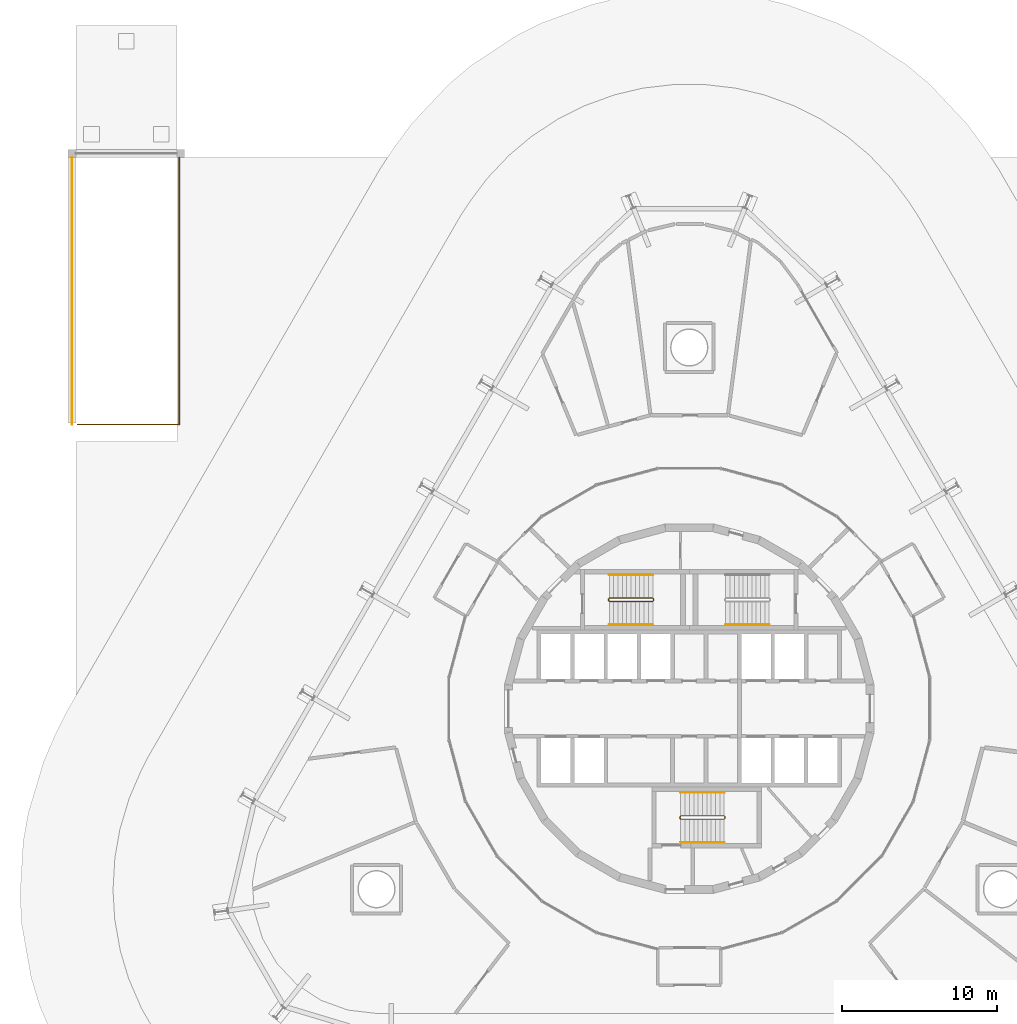
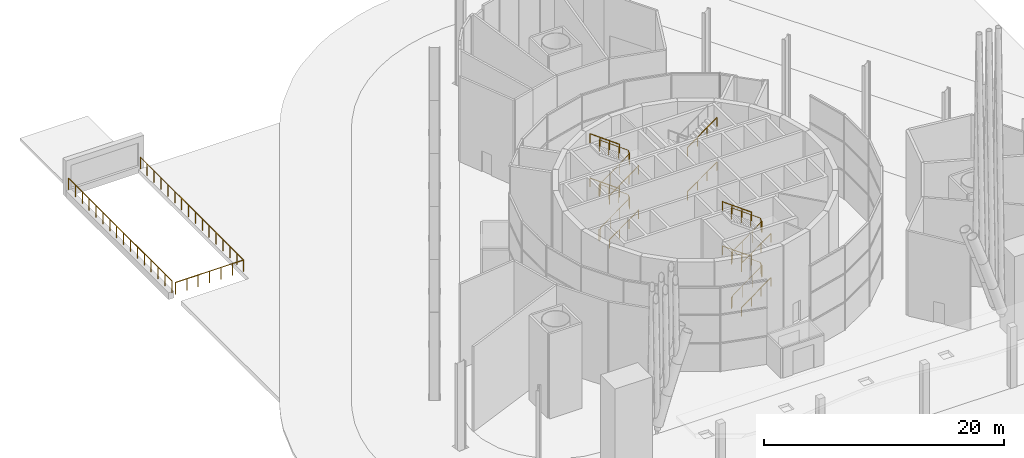
# One storey, part 20 of 21: 14 railings.
"""IFC4 building model written with IfcOpenShell, lengths in metres."""

import ifcopenshell
import ifcopenshell.guid

model = None  # the IFC model being written
_history = None  # IfcOwnerHistory: only IFC2X3 demands one
_inside = {}  # id of a spatial element -> (the spatial element, [elements in it])
_under = {}  # id of a project, library or spatial element -> (it, [spatial elements below it])
_declared = {}  # id of a project -> (the project, [libraries it declares])
_typed = {}  # id of a type object -> (the type object, [elements of that type])
_made_of = {}  # id of a material, layer set ... -> (it, [elements and type objects made of it])


def new_model(schema):
    """Start an empty IFC model of exactly this schema.

    Asked for "IFC4X3", IfcOpenShell would pick the latest addendum, in which some entities
    have other attributes; the version numbers below select the first issue.
    IFC2X3 requires an IfcOwnerHistory on every rooted entity: one is made here for all.
    """
    global model, _history
    if schema == "IFC4X3":
        model = ifcopenshell.file(schema_version=(4, 3, 0, 0))
    else:
        model = ifcopenshell.file(schema=schema)
    _inside.clear()
    _under.clear()
    _declared.clear()
    _typed.clear()
    _made_of.clear()
    _history = None
    if model.schema == "IFC2X3":
        org = make("IfcOrganization", Name="unknown")
        user = make(
            "IfcPersonAndOrganization",
            ThePerson=make("IfcPerson", FamilyName="unknown"),
            TheOrganization=org,
        )
        app = make(
            "IfcApplication",
            ApplicationDeveloper=org,
            Version="unknown",
            ApplicationFullName="unknown",
            ApplicationIdentifier="unknown",
        )
        _history = make(
            "IfcOwnerHistory",
            OwningUser=user,
            OwningApplication=app,
            ChangeAction="ADDED",
            CreationDate=0,
        )
    return model


def make(cls, **values):
    """One entity of the class cls with the attributes given. An attribute that is None is left unset."""
    return model.create_entity(
        cls, **{name: value for name, value in values.items() if value is not None}
    )


def rooted(cls, **values):
    """An entity with a GlobalId (a new one), such as an element, a storey or a relation."""
    return make(cls, GlobalId=ifcopenshell.guid.new(), OwnerHistory=_history, **values)


def si_unit(unit_type, name, prefix=None):
    """IfcSIUnit, for example si_unit("LENGTHUNIT", "METRE", prefix="MILLI")."""
    return make("IfcSIUnit", UnitType=unit_type, Prefix=prefix, Name=name)


def assignment(units):
    """IfcUnitAssignment: the units of a project."""
    return None if units is None else make("IfcUnitAssignment", Units=units)


def point(xyz):
    """IfcCartesianPoint."""
    return None if xyz is None else make("IfcCartesianPoint", Coordinates=xyz)


def direction(xyz):
    """IfcDirection."""
    return None if xyz is None else make("IfcDirection", DirectionRatios=xyz)


def frame(location, z_axis=None, x_axis=None):
    """IfcAxis2Placement3D, a coordinate frame: its origin and axes. An axis left out is left unset."""
    return make(
        "IfcAxis2Placement3D",
        Location=point(location),
        Axis=direction(z_axis),
        RefDirection=direction(x_axis),
    )


def frame_2d(location, x_axis=None):
    """IfcAxis2Placement2D, a coordinate frame in the plane: its origin and x axis."""
    return make(
        "IfcAxis2Placement2D", Location=point(location), RefDirection=direction(x_axis)
    )


def origin():
    """The frame at (0, 0, 0) with its axes left unset."""
    return frame((0.0, 0.0, 0.0))


def origin_2d():
    """The frame at (0, 0) in the plane with its x axis left unset."""
    return frame_2d((0.0, 0.0))


def place(relative_to, where):
    """IfcLocalPlacement: puts the frame where relative to a parent placement (None: the world)."""
    return make(
        "IfcLocalPlacement", PlacementRelTo=relative_to, RelativePlacement=where
    )


def context(
    kind, dimensions, precision=None, world=None, true_north=None, identifier=None
):
    """IfcGeometricRepresentationContext, for example the 3D "Model" context."""
    return make(
        "IfcGeometricRepresentationContext",
        ContextIdentifier=identifier,
        ContextType=kind,
        CoordinateSpaceDimension=dimensions,
        Precision=precision,
        WorldCoordinateSystem=world,
        TrueNorth=true_north,
    )


def subcontext(parent, identifier, kind, view, scale=None):
    """IfcGeometricRepresentationSubContext, for example "Body" below "Model"."""
    return make(
        "IfcGeometricRepresentationSubContext",
        ContextIdentifier=identifier,
        ContextType=kind,
        ParentContext=parent,
        TargetScale=scale,
        TargetView=view,
    )


def project(units=None, contexts=None):
    """IfcProject with its units and contexts."""
    return rooted(
        "IfcProject",
        Name="project",
        RepresentationContexts=contexts,
        UnitsInContext=assignment(units),
    )


def spatial(cls, under=None, at=None, **own):
    """A site, building, storey or space (cls), placed at a placement, below another one or the project."""
    s = rooted(cls, ObjectPlacement=at, **own)
    if under is not None:
        _under.setdefault(under.id(), (under, []))[1].append(s)
    return s


def profile(cls, at=None, kind="AREA", **sizes):
    """A parametric profile (cls). Its sizes go by their IFC names, for example OverallWidth=200.0."""
    return make(cls, ProfileType=kind, Position=at, **sizes)


def circle(**sizes):
    """IfcCircleProfileDef."""
    return profile("IfcCircleProfileDef", **sizes)


def extrude(swept, where, along, depth):
    """IfcExtrudedAreaSolid: the profile swept, set in the frame where, extruded along a direction by depth."""
    return make(
        "IfcExtrudedAreaSolid",
        SweptArea=swept,
        Position=where,
        ExtrudedDirection=direction(along),
        Depth=depth,
    )


def shape(context_of_items, identifier, shape_type, items):
    """IfcShapeRepresentation: the items that make up one representation, for example the "Body"."""
    return make(
        "IfcShapeRepresentation",
        ContextOfItems=context_of_items,
        RepresentationIdentifier=identifier,
        RepresentationType=shape_type,
        Items=items,
    )


def material(Name=None, Category=None):
    """IfcMaterial."""
    return make("IfcMaterial", Name=Name, Category=Category)


def made_of(thing, what):
    """Note that an element or type object is made of a material, layer set ...; save() writes the relation."""
    if what is not None:
        _made_of.setdefault(what.id(), (what, []))[1].append(thing)
    return thing


def type_object(cls, material=None, **own):
    """A type object (cls), such as IfcWallType, which elements share."""
    return made_of(rooted(cls, **own), material)


def element(
    cls,
    number,
    at=None,
    inside=None,
    cuts=None,
    type_object=None,
    material=None,
    context=None,
    identifier="Body",
    shape_type=None,
    held_by="IfcProductDefinitionShape",
    body=None,
    shapes=None,
    **own,
):
    """One element of the class cls, such as IfcWall. Its Tag is "e" and its number.

    at: its placement. inside: the storey or other place that contains it. cuts: it is an
    opening in that element (IfcRelVoidsElement). A single representation is given by context,
    identifier, shape_type and body (its items); several are given by shapes. held_by: the class
    of the entity that holds the representations. save() writes the other relations.
    """
    e = rooted(cls, Tag="e%d" % number, ObjectPlacement=at, **own)
    if body is not None:
        shapes = [shape(context, identifier, shape_type, body)]
    if shapes is not None:
        e.Representation = make(held_by, Representations=shapes)
    if inside is not None:
        _inside.setdefault(inside.id(), (inside, []))[1].append(e)
    if cuts is not None:
        rooted(
            "IfcRelVoidsElement", RelatingBuildingElement=cuts, RelatedOpeningElement=e
        )
    if type_object is not None:
        _typed.setdefault(type_object.id(), (type_object, []))[1].append(e)
    return made_of(e, material)


def aggregate(whole, parts):
    """IfcRelAggregates: a whole, such as a stair, and the parts it consists of."""
    return rooted("IfcRelAggregates", RelatingObject=whole, RelatedObjects=parts)


def save(model, path):
    """Write the relations noted so far, then the file.

    IfcRelAggregates (storeys below a building ...), IfcRelContainedInSpatialStructure (elements
    in a storey), IfcRelDefinesByType, IfcRelAssociatesMaterial and IfcRelDeclares: one each for
    every whole, place, type object, material and project.
    """
    for whole, parts in _under.values():
        aggregate(whole, parts)
    for where, things in _inside.values():
        rooted(
            "IfcRelContainedInSpatialStructure",
            RelatedElements=things,
            RelatingStructure=where,
        )
    for kind, things in _typed.values():
        rooted("IfcRelDefinesByType", RelatedObjects=things, RelatingType=kind)
    for what, things in _made_of.values():
        rooted("IfcRelAssociatesMaterial", RelatedObjects=things, RelatingMaterial=what)
    for by, libraries in _declared.values():
        rooted("IfcRelDeclares", RelatingContext=by, RelatedDefinitions=libraries)
    model.write(path)


model = new_model("IFC4")

# Units and contexts
model_context = context("Model", 3, precision=1e-05, world=origin(), true_north=direction((0.0, 1.0)))
body_context = subcontext(model_context, "Body", "Model", "MODEL_VIEW")
ifc_project = project(units=[si_unit("LENGTHUNIT", "METRE"), si_unit("AREAUNIT", "SQUARE_METRE"), si_unit("VOLUMEUNIT", "CUBIC_METRE"), si_unit("PLANEANGLEUNIT", "RADIAN"), si_unit("MASSUNIT", "GRAM", prefix="KILO")], contexts=[model_context])

# Site, building, storey
site_placement = place(None, origin())
site = spatial("IfcSite", under=ifc_project, at=site_placement, CompositionType="ELEMENT")
building_placement = place(site_placement, origin())
building = spatial("IfcBuilding", under=site, at=building_placement, Name="Spindle Arch Residences", CompositionType="ELEMENT")
storey_placement = place(building_placement, origin())
storey = spatial("IfcBuildingStorey", under=building, at=storey_placement, Name="L00", CompositionType="ELEMENT", Elevation=0.0)

# Railings
ifc_material_1 = material(Name="Stainless steel balustrade", Category="steel")
railing_type_1 = type_object("IfcRailingType", Name="Plaza and trench guard 1200", PredefinedType="GUARDRAIL", material=ifc_material_1)
railing_1_placement = place(storey_placement, frame((-32.85009765625, 35.5, -0.280029296875)))
element("IfcRailing", 1, at=railing_1_placement, inside=storey, type_object=railing_type_1, Name="Ramp trench guard (deck edge)", PredefinedType="GUARDRAIL", context=body_context, shape_type="SweptSolid", body=[
    extrude(circle(Radius=0.02392578125, at=origin_2d()), frame((0.0, 0.0, 1.17578125), z_axis=(0.0, -1.0, 0.0), x_axis=(1.0, 0.0, 0.0)), (0.0, 0.0, 1.0), 17.199951171875),
    extrude(circle(Radius=0.02392578125, at=origin_2d()), frame((0.0, -17.199951171875, 1.17578125), z_axis=(-1.0, 0.0, 0.0), x_axis=(0.0, -1.0, 0.0)), (0.0, 0.0, 1.0), 6.5498046875),
    extrude(circle(Radius=0.02099609375, at=origin_2d()), origin(), (0.0, 0.0, 1.0), 1.15185546875),
    extrude(circle(Radius=0.02099609375, at=origin_2d()), frame((0.0, -1.146728515625, 0.0)), (0.0, 0.0, 1.0), 1.15185546875),
    extrude(circle(Radius=0.02099609375, at=origin_2d()), frame((0.0, -2.293212890625, 0.0)), (0.0, 0.0, 1.0), 1.15185546875),
    extrude(circle(Radius=0.02099609375, at=origin_2d()), frame((0.0, -3.43994140625, 0.0)), (0.0, 0.0, 1.0), 1.15185546875),
    extrude(circle(Radius=0.02099609375, at=origin_2d()), frame((0.0, -4.586669921875, 0.0)), (0.0, 0.0, 1.0), 1.15185546875),
    extrude(circle(Radius=0.02099609375, at=origin_2d()), frame((0.0, -5.7333984375, 0.0)), (0.0, 0.0, 1.0), 1.15185546875),
    extrude(circle(Radius=0.02099609375, at=origin_2d()), frame((0.0, -6.8798828125, 0.0)), (0.0, 0.0, 1.0), 1.15185546875),
    extrude(circle(Radius=0.02099609375, at=origin_2d()), frame((0.0, -8.026611328125, 0.0)), (0.0, 0.0, 1.0), 1.15185546875),
    extrude(circle(Radius=0.02099609375, at=origin_2d()), frame((0.0, -9.17333984375, 0.0)), (0.0, 0.0, 1.0), 1.15185546875),
    extrude(circle(Radius=0.02099609375, at=origin_2d()), frame((0.0, -10.320068359375, 0.0)), (0.0, 0.0, 1.0), 1.15185546875),
    extrude(circle(Radius=0.02099609375, at=origin_2d()), frame((0.0, -11.466552734375, 0.0)), (0.0, 0.0, 1.0), 1.15185546875),
    extrude(circle(Radius=0.02099609375, at=origin_2d()), frame((0.0, -12.61328125, 0.0)), (0.0, 0.0, 1.0), 1.15185546875),
    extrude(circle(Radius=0.02099609375, at=origin_2d()), frame((0.0, -13.760009765625, 0.0)), (0.0, 0.0, 1.0), 1.15185546875),
    extrude(circle(Radius=0.02099609375, at=origin_2d()), frame((0.0, -14.90673828125, 0.0)), (0.0, 0.0, 1.0), 1.15185546875),
    extrude(circle(Radius=0.02099609375, at=origin_2d()), frame((0.0, -16.05322265625, 0.0)), (0.0, 0.0, 1.0), 1.15185546875),
    extrude(circle(Radius=0.02099609375, at=origin_2d()), frame((0.0, -17.199951171875, 0.0)), (0.0, 0.0, 1.0), 1.15185546875),
    extrude(circle(Radius=0.02099609375, at=origin_2d()), frame((-1.091552734375, -17.199951171875, 0.0)), (0.0, 0.0, 1.0), 1.15185546875),
    extrude(circle(Radius=0.02099609375, at=origin_2d()), frame((-2.183349609375, -17.199951171875, 0.0)), (0.0, 0.0, 1.0), 1.15185546875),
    extrude(circle(Radius=0.02099609375, at=origin_2d()), frame((-3.27490234375, -17.199951171875, 0.0)), (0.0, 0.0, 1.0), 1.15185546875),
    extrude(circle(Radius=0.02099609375, at=origin_2d()), frame((-4.366455078125, -17.199951171875, 0.0)), (0.0, 0.0, 1.0), 1.15185546875),
    extrude(circle(Radius=0.02099609375, at=origin_2d()), frame((-5.458251953125, -17.199951171875, 0.0)), (0.0, 0.0, 1.0), 1.15185546875),
    extrude(circle(Radius=0.02099609375, at=origin_2d()), frame((-6.5498046875, -17.199951171875, 0.0)), (0.0, 0.0, 1.0), 1.15185546875),
])
railing_2_placement = place(storey_placement, frame((-39.75, 18.300048828125, 0.0)))
element("IfcRailing", 2, at=railing_2_placement, inside=storey, type_object=railing_type_1, Name="Ramp trench guard (west wall)", PredefinedType="GUARDRAIL", context=body_context, shape_type="SweptSolid", body=[
    extrude(circle(Radius=0.02392578125, at=origin_2d()), frame((0.0, 0.0, 1.17578125), z_axis=(0.0, 1.0, 0.0), x_axis=(-1.0, 0.0, 0.0)), (0.0, 0.0, 1.0), 17.199951171875),
    extrude(circle(Radius=0.02099609375, at=origin_2d()), origin(), (0.0, 0.0, 1.0), 1.15185546875),
    extrude(circle(Radius=0.02099609375, at=origin_2d()), frame((0.0, 1.146728515625, 0.0)), (0.0, 0.0, 1.0), 1.15185546875),
    extrude(circle(Radius=0.02099609375, at=origin_2d()), frame((0.0, 2.293212890625, 0.0)), (0.0, 0.0, 1.0), 1.15185546875),
    extrude(circle(Radius=0.02099609375, at=origin_2d()), frame((0.0, 3.43994140625, 0.0)), (0.0, 0.0, 1.0), 1.15185546875),
    extrude(circle(Radius=0.02099609375, at=origin_2d()), frame((0.0, 4.586669921875, 0.0)), (0.0, 0.0, 1.0), 1.15185546875),
    extrude(circle(Radius=0.02099609375, at=origin_2d()), frame((0.0, 5.7333984375, 0.0)), (0.0, 0.0, 1.0), 1.15185546875),
    extrude(circle(Radius=0.02099609375, at=origin_2d()), frame((0.0, 6.8798828125, 0.0)), (0.0, 0.0, 1.0), 1.15185546875),
    extrude(circle(Radius=0.02099609375, at=origin_2d()), frame((0.0, 8.026611328125, 0.0)), (0.0, 0.0, 1.0), 1.15185546875),
    extrude(circle(Radius=0.02099609375, at=origin_2d()), frame((0.0, 9.17333984375, 0.0)), (0.0, 0.0, 1.0), 1.15185546875),
    extrude(circle(Radius=0.02099609375, at=origin_2d()), frame((0.0, 10.320068359375, 0.0)), (0.0, 0.0, 1.0), 1.15185546875),
    extrude(circle(Radius=0.02099609375, at=origin_2d()), frame((0.0, 11.466552734375, 0.0)), (0.0, 0.0, 1.0), 1.15185546875),
    extrude(circle(Radius=0.02099609375, at=origin_2d()), frame((0.0, 12.61328125, 0.0)), (0.0, 0.0, 1.0), 1.15185546875),
    extrude(circle(Radius=0.02099609375, at=origin_2d()), frame((0.0, 13.760009765625, 0.0)), (0.0, 0.0, 1.0), 1.15185546875),
    extrude(circle(Radius=0.02099609375, at=origin_2d()), frame((0.0, 14.90673828125, 0.0)), (0.0, 0.0, 1.0), 1.15185546875),
    extrude(circle(Radius=0.02099609375, at=origin_2d()), frame((0.0, 16.05322265625, 0.0)), (0.0, 0.0, 1.0), 1.15185546875),
    extrude(circle(Radius=0.02099609375, at=origin_2d()), frame((0.0, 17.199951171875, 0.0)), (0.0, 0.0, 1.0), 1.15185546875),
])
ifc_material_2 = material(Name="Steel, painted", Category="steel")
railing_type_2 = type_object("IfcRailingType", Name="Stair guard 1100", PredefinedType="GUARDRAIL", material=ifc_material_2)
railing_3_placement = place(storey_placement, frame((-5.14990234375, 7.1201171875, 9.0)))
element("IfcRailing", 3, at=railing_3_placement, inside=storey, type_object=railing_type_2, Name="L00 ST2 stair guard 1", PredefinedType="GUARDRAIL", context=body_context, shape_type="SweptSolid", body=[
    extrude(circle(Radius=0.02392578125, at=origin_2d()), frame((0.0, 0.0, 1.17578125), z_axis=(0.807473679262, 0.0, -0.589903600005), x_axis=(0.0, 1.0, 0.0)), (0.0, 0.0, 1.0), 3.46728515625),
    extrude(circle(Radius=0.02392578125, at=origin_2d()), frame((2.7998046875, 0.0, -0.86962890625), z_axis=(0.231185919813, -0.231185919813, -0.94504293075), x_axis=(0.707106781187, 0.707106781187, 0.0)), (0.0, 0.0, 1.0), 0.216552734375),
    extrude(circle(Radius=0.02392578125, at=origin_2d()), frame((2.849853515625, -0.050048828125, -1.07421875), z_axis=(0.0, -1.0, 0.0), x_axis=(1.0, 0.0, 0.0)), (0.0, 0.0, 1.0), 0.1201171875),
    extrude(circle(Radius=0.02392578125, at=origin_2d()), frame((2.849853515625, -0.170166015625, -1.07421875), z_axis=(-0.707106781187, -0.707106781187, 0.0), x_axis=(0.707106781187, -0.707106781187, 0.0)), (0.0, 0.0, 1.0), 0.07080078125),
    extrude(circle(Radius=0.02392578125, at=origin_2d()), frame((2.7998046875, -0.22021484375, -1.07421875), z_axis=(-0.807473679262, 0.0, -0.589903600005), x_axis=(0.0, -1.0, 0.0)), (0.0, 0.0, 1.0), 3.46728515625),
    extrude(circle(Radius=0.02392578125, at=origin_2d()), frame((0.0, -0.22021484375, -3.11962890625), z_axis=(-0.184836414533, 0.628443809412, -0.755575196969), x_axis=(-0.959365501571, -0.282166323992, 0.0)), (0.0, 0.0, 1.0), 0.270751953125),
    extrude(circle(Radius=0.02392578125, at=origin_2d()), frame((-0.050048828125, -0.050048828125, -3.32421875), z_axis=(0.0, -1.0, 0.0), x_axis=(1.0, 0.0, 0.0)), (0.0, 0.0, 1.0), 0.1201171875),
    extrude(circle(Radius=0.02392578125, at=origin_2d()), frame((-0.050048828125, -0.170166015625, -3.32421875), z_axis=(0.282166323992, 0.959365501571, 0.0), x_axis=(-0.959365501571, 0.282166323992, 0.0)), (0.0, 0.0, 1.0), 0.177490234375),
    extrude(circle(Radius=0.02392578125, at=origin_2d()), frame((0.0, 0.0, -3.32421875), z_axis=(0.807473679262, 0.0, -0.589903600005), x_axis=(0.0, 1.0, 0.0)), (0.0, 0.0, 1.0), 3.46728515625),
    extrude(circle(Radius=0.02392578125, at=origin_2d()), frame((2.7998046875, 0.0, -5.36962890625), z_axis=(0.231185919813, -0.231185919813, -0.94504293075), x_axis=(0.707106781187, 0.707106781187, 0.0)), (0.0, 0.0, 1.0), 0.216552734375),
    extrude(circle(Radius=0.02392578125, at=origin_2d()), frame((2.849853515625, -0.050048828125, -5.57421875), z_axis=(0.0, -1.0, 0.0), x_axis=(1.0, 0.0, 0.0)), (0.0, 0.0, 1.0), 0.1201171875),
    extrude(circle(Radius=0.02392578125, at=origin_2d()), frame((2.849853515625, -0.170166015625, -5.57421875), z_axis=(-0.707106781187, -0.707106781187, 0.0), x_axis=(0.707106781187, -0.707106781187, 0.0)), (0.0, 0.0, 1.0), 0.07080078125),
    extrude(circle(Radius=0.02392578125, at=origin_2d()), frame((2.7998046875, -0.22021484375, -5.57421875), z_axis=(-0.807473679262, 0.0, -0.589903600005), x_axis=(0.0, -1.0, 0.0)), (0.0, 0.0, 1.0), 3.46728515625),
    extrude(circle(Radius=0.02392578125, at=origin_2d()), frame((0.0, -0.22021484375, -7.61962890625), z_axis=(-0.231185919813, 0.231185919813, -0.94504293075), x_axis=(-0.707106781187, -0.707106781187, 0.0)), (0.0, 0.0, 1.0), 0.216552734375),
    extrude(circle(Radius=0.02392578125, at=origin_2d()), frame((-0.050048828125, -0.170166015625, -7.82421875), z_axis=(0.0, 1.0, 0.0), x_axis=(-1.0, 0.0, 0.0)), (0.0, 0.0, 1.0), 0.1201171875),
    extrude(circle(Radius=0.02099609375, at=origin_2d()), origin(), (0.0, 0.0, 1.0), 1.15185546875),
    extrude(circle(Radius=0.02099609375, at=origin_2d()), frame((0.933349609375, 0.0, -0.681884765625)), (0.0, 0.0, 1.0), 1.15185546875),
    extrude(circle(Radius=0.02099609375, at=origin_2d()), frame((1.866455078125, 0.0, -1.363525390625)), (0.0, 0.0, 1.0), 1.15185546875),
    extrude(circle(Radius=0.02099609375, at=origin_2d()), frame((2.7998046875, 0.0, -2.04541015625)), (0.0, 0.0, 1.0), 1.15185546875),
    extrude(circle(Radius=0.02099609375, at=origin_2d()), frame((2.849853515625, -0.050048828125, -2.25)), (0.0, 0.0, 1.0), 1.15185546875),
    extrude(circle(Radius=0.02099609375, at=origin_2d()), frame((2.849853515625, -0.170166015625, -2.25)), (0.0, 0.0, 1.0), 1.15185546875),
    extrude(circle(Radius=0.02099609375, at=origin_2d()), frame((2.7998046875, -0.22021484375, -2.25)), (0.0, 0.0, 1.0), 1.15185546875),
    extrude(circle(Radius=0.02099609375, at=origin_2d()), frame((1.866455078125, -0.22021484375, -2.931884765625)), (0.0, 0.0, 1.0), 1.15185546875),
    extrude(circle(Radius=0.02099609375, at=origin_2d()), frame((0.933349609375, -0.22021484375, -3.613525390625)), (0.0, 0.0, 1.0), 1.15185546875),
    extrude(circle(Radius=0.02099609375, at=origin_2d()), frame((0.0, -0.22021484375, -4.29541015625)), (0.0, 0.0, 1.0), 1.15185546875),
    extrude(circle(Radius=0.02099609375, at=origin_2d()), frame((-0.050048828125, -0.050048828125, -4.5)), (0.0, 0.0, 1.0), 1.15185546875),
    extrude(circle(Radius=0.02099609375, at=origin_2d()), frame((-0.050048828125, -0.170166015625, -4.5)), (0.0, 0.0, 1.0), 1.15185546875),
    extrude(circle(Radius=0.02099609375, at=origin_2d()), frame((0.0, 0.0, -4.5)), (0.0, 0.0, 1.0), 1.15185546875),
    extrude(circle(Radius=0.02099609375, at=origin_2d()), frame((0.933349609375, 0.0, -5.181884765625)), (0.0, 0.0, 1.0), 1.15185546875),
    extrude(circle(Radius=0.02099609375, at=origin_2d()), frame((1.866455078125, 0.0, -5.863525390625)), (0.0, 0.0, 1.0), 1.15185546875),
    extrude(circle(Radius=0.02099609375, at=origin_2d()), frame((2.7998046875, 0.0, -6.54541015625)), (0.0, 0.0, 1.0), 1.15185546875),
    extrude(circle(Radius=0.02099609375, at=origin_2d()), frame((2.849853515625, -0.050048828125, -6.75)), (0.0, 0.0, 1.0), 1.15185546875),
    extrude(circle(Radius=0.02099609375, at=origin_2d()), frame((2.849853515625, -0.170166015625, -6.75)), (0.0, 0.0, 1.0), 1.15185546875),
    extrude(circle(Radius=0.02099609375, at=origin_2d()), frame((2.7998046875, -0.22021484375, -6.75)), (0.0, 0.0, 1.0), 1.15185546875),
    extrude(circle(Radius=0.02099609375, at=origin_2d()), frame((1.866455078125, -0.22021484375, -7.431884765625)), (0.0, 0.0, 1.0), 1.15185546875),
    extrude(circle(Radius=0.02099609375, at=origin_2d()), frame((0.933349609375, -0.22021484375, -8.113525390625)), (0.0, 0.0, 1.0), 1.15185546875),
    extrude(circle(Radius=0.02099609375, at=origin_2d()), frame((0.0, -0.22021484375, -8.79541015625)), (0.0, 0.0, 1.0), 1.15185546875),
    extrude(circle(Radius=0.02099609375, at=origin_2d()), frame((-0.050048828125, -0.170166015625, -9.0)), (0.0, 0.0, 1.0), 1.15185546875),
    extrude(circle(Radius=0.02099609375, at=origin_2d()), frame((-0.050048828125, -0.050048828125, -9.0)), (0.0, 0.0, 1.0), 1.15185546875),
])
railing_4_placement = place(storey_placement, frame((-0.550048828125, -6.89990234375, 9.0)))
element("IfcRailing", 4, at=railing_4_placement, inside=storey, type_object=railing_type_2, Name="L00 ST3 stair guard 1", PredefinedType="GUARDRAIL", context=body_context, shape_type="SweptSolid", body=[
    extrude(circle(Radius=0.02392578125, at=origin_2d()), frame((0.0, 0.0, 1.17578125), z_axis=(0.807498179243, 0.0, -0.589870062403), x_axis=(0.0, 1.0, 0.0)), (0.0, 0.0, 1.0), 3.467529296875),
    extrude(circle(Radius=0.02392578125, at=origin_2d()), frame((2.800048828125, 0.0, -0.86962890625), z_axis=(0.231185919813, -0.231185919813, -0.94504293075), x_axis=(0.707106781187, 0.707106781187, 0.0)), (0.0, 0.0, 1.0), 0.216552734375),
    extrude(circle(Radius=0.02392578125, at=origin_2d()), frame((2.85009765625, -0.050048828125, -1.07421875), z_axis=(0.0, -1.0, 0.0), x_axis=(1.0, 0.0, 0.0)), (0.0, 0.0, 1.0), 0.1201171875),
    extrude(circle(Radius=0.02392578125, at=origin_2d()), frame((2.85009765625, -0.170166015625, -1.07421875), z_axis=(-0.707106781187, -0.707106781187, 0.0), x_axis=(0.707106781187, -0.707106781187, 0.0)), (0.0, 0.0, 1.0), 0.07080078125),
    extrude(circle(Radius=0.02392578125, at=origin_2d()), frame((2.800048828125, -0.22021484375, -1.07421875), z_axis=(-0.807498179243, 0.0, -0.589870062403), x_axis=(0.0, -1.0, 0.0)), (0.0, 0.0, 1.0), 3.467529296875),
    extrude(circle(Radius=0.02392578125, at=origin_2d()), frame((0.0, -0.22021484375, -3.11962890625), z_axis=(-0.184836414533, 0.628443809412, -0.755575196969), x_axis=(-0.959365501571, -0.282166323992, 0.0)), (0.0, 0.0, 1.0), 0.270751953125),
    extrude(circle(Radius=0.02392578125, at=origin_2d()), frame((-0.050048828125, -0.050048828125, -3.32421875), z_axis=(0.0, -1.0, 0.0), x_axis=(1.0, 0.0, 0.0)), (0.0, 0.0, 1.0), 0.1201171875),
    extrude(circle(Radius=0.02392578125, at=origin_2d()), frame((-0.050048828125, -0.170166015625, -3.32421875), z_axis=(0.282166323992, 0.959365501571, 0.0), x_axis=(-0.959365501571, 0.282166323992, 0.0)), (0.0, 0.0, 1.0), 0.177490234375),
    extrude(circle(Radius=0.02392578125, at=origin_2d()), frame((0.0, 0.0, -3.32421875), z_axis=(0.807498179243, 0.0, -0.589870062403), x_axis=(0.0, 1.0, 0.0)), (0.0, 0.0, 1.0), 3.467529296875),
    extrude(circle(Radius=0.02392578125, at=origin_2d()), frame((2.800048828125, 0.0, -5.36962890625), z_axis=(0.231185919813, -0.231185919813, -0.94504293075), x_axis=(0.707106781187, 0.707106781187, 0.0)), (0.0, 0.0, 1.0), 0.216552734375),
    extrude(circle(Radius=0.02392578125, at=origin_2d()), frame((2.85009765625, -0.050048828125, -5.57421875), z_axis=(0.0, -1.0, 0.0), x_axis=(1.0, 0.0, 0.0)), (0.0, 0.0, 1.0), 0.1201171875),
    extrude(circle(Radius=0.02392578125, at=origin_2d()), frame((2.85009765625, -0.170166015625, -5.57421875), z_axis=(-0.707106781187, -0.707106781187, 0.0), x_axis=(0.707106781187, -0.707106781187, 0.0)), (0.0, 0.0, 1.0), 0.07080078125),
    extrude(circle(Radius=0.02392578125, at=origin_2d()), frame((2.800048828125, -0.22021484375, -5.57421875), z_axis=(-0.807498179243, 0.0, -0.589870062403), x_axis=(0.0, -1.0, 0.0)), (0.0, 0.0, 1.0), 3.467529296875),
    extrude(circle(Radius=0.02392578125, at=origin_2d()), frame((0.0, -0.22021484375, -7.61962890625), z_axis=(-0.231185919813, 0.231185919813, -0.94504293075), x_axis=(-0.707106781187, -0.707106781187, 0.0)), (0.0, 0.0, 1.0), 0.216552734375),
    extrude(circle(Radius=0.02392578125, at=origin_2d()), frame((-0.050048828125, -0.170166015625, -7.82421875), z_axis=(0.0, 1.0, 0.0), x_axis=(-1.0, 0.0, 0.0)), (0.0, 0.0, 1.0), 0.1201171875),
    extrude(circle(Radius=0.02099609375, at=origin_2d()), origin(), (0.0, 0.0, 1.0), 1.15185546875),
    extrude(circle(Radius=0.02099609375, at=origin_2d()), frame((0.933349609375, 0.0, -0.681884765625)), (0.0, 0.0, 1.0), 1.15185546875),
    extrude(circle(Radius=0.02099609375, at=origin_2d()), frame((1.86669921875, 0.0, -1.363525390625)), (0.0, 0.0, 1.0), 1.15185546875),
    extrude(circle(Radius=0.02099609375, at=origin_2d()), frame((2.800048828125, 0.0, -2.04541015625)), (0.0, 0.0, 1.0), 1.15185546875),
    extrude(circle(Radius=0.02099609375, at=origin_2d()), frame((2.85009765625, -0.050048828125, -2.25)), (0.0, 0.0, 1.0), 1.15185546875),
    extrude(circle(Radius=0.02099609375, at=origin_2d()), frame((2.85009765625, -0.170166015625, -2.25)), (0.0, 0.0, 1.0), 1.15185546875),
    extrude(circle(Radius=0.02099609375, at=origin_2d()), frame((2.800048828125, -0.22021484375, -2.25)), (0.0, 0.0, 1.0), 1.15185546875),
    extrude(circle(Radius=0.02099609375, at=origin_2d()), frame((1.86669921875, -0.22021484375, -2.931884765625)), (0.0, 0.0, 1.0), 1.15185546875),
    extrude(circle(Radius=0.02099609375, at=origin_2d()), frame((0.933349609375, -0.22021484375, -3.613525390625)), (0.0, 0.0, 1.0), 1.15185546875),
    extrude(circle(Radius=0.02099609375, at=origin_2d()), frame((0.0, -0.22021484375, -4.29541015625)), (0.0, 0.0, 1.0), 1.15185546875),
    extrude(circle(Radius=0.02099609375, at=origin_2d()), frame((-0.050048828125, -0.050048828125, -4.5)), (0.0, 0.0, 1.0), 1.15185546875),
    extrude(circle(Radius=0.02099609375, at=origin_2d()), frame((-0.050048828125, -0.170166015625, -4.5)), (0.0, 0.0, 1.0), 1.15185546875),
    extrude(circle(Radius=0.02099609375, at=origin_2d()), frame((0.0, 0.0, -4.5)), (0.0, 0.0, 1.0), 1.15185546875),
    extrude(circle(Radius=0.02099609375, at=origin_2d()), frame((0.933349609375, 0.0, -5.181884765625)), (0.0, 0.0, 1.0), 1.15185546875),
    extrude(circle(Radius=0.02099609375, at=origin_2d()), frame((1.86669921875, 0.0, -5.863525390625)), (0.0, 0.0, 1.0), 1.15185546875),
    extrude(circle(Radius=0.02099609375, at=origin_2d()), frame((2.800048828125, 0.0, -6.54541015625)), (0.0, 0.0, 1.0), 1.15185546875),
    extrude(circle(Radius=0.02099609375, at=origin_2d()), frame((2.85009765625, -0.050048828125, -6.75)), (0.0, 0.0, 1.0), 1.15185546875),
    extrude(circle(Radius=0.02099609375, at=origin_2d()), frame((2.85009765625, -0.170166015625, -6.75)), (0.0, 0.0, 1.0), 1.15185546875),
    extrude(circle(Radius=0.02099609375, at=origin_2d()), frame((2.800048828125, -0.22021484375, -6.75)), (0.0, 0.0, 1.0), 1.15185546875),
    extrude(circle(Radius=0.02099609375, at=origin_2d()), frame((1.86669921875, -0.22021484375, -7.431884765625)), (0.0, 0.0, 1.0), 1.15185546875),
    extrude(circle(Radius=0.02099609375, at=origin_2d()), frame((0.933349609375, -0.22021484375, -8.113525390625)), (0.0, 0.0, 1.0), 1.15185546875),
    extrude(circle(Radius=0.02099609375, at=origin_2d()), frame((0.0, -0.22021484375, -8.79541015625)), (0.0, 0.0, 1.0), 1.15185546875),
    extrude(circle(Radius=0.02099609375, at=origin_2d()), frame((-0.050048828125, -0.170166015625, -9.0)), (0.0, 0.0, 1.0), 1.15185546875),
    extrude(circle(Radius=0.02099609375, at=origin_2d()), frame((-0.050048828125, -0.050048828125, -9.0)), (0.0, 0.0, 1.0), 1.15185546875),
])
ifc_material_3 = material(Name="Steel, painted", Category="steel")
railing_type_3 = type_object("IfcRailingType", Name="Stair handrail 900", PredefinedType="HANDRAIL", material=ifc_material_3)
for number, where, name in (
    (5, (2.35009765625, 5.39990234375, 2.45458984375), "L00 ST1 stair handrail 2"),
    (6, (2.35009765625, 5.39990234375, 6.95458984375), "L00 ST1 stair handrail 4"),
    (7, (-5.14990234375, 5.39990234375, 0.20458984375), "L00 ST2 stair handrail 1"),
):
    element("IfcRailing", number, at=place(storey_placement, frame(where)), inside=storey, type_object=railing_type_3, Name=name, PredefinedType="HANDRAIL", context=body_context, shape_type="SweptSolid", body=[
        extrude(circle(Radius=0.02392578125, at=origin_2d()), frame((0.0, 0.0, 0.8759765625), z_axis=(0.807473679262, 0.0, 0.589903600005), x_axis=(0.0, 1.0, 0.0)), (0.0, 0.0, 1.0), 3.46728515625),
        extrude(circle(Radius=0.02099609375, at=origin_2d()), origin(), (0.0, 0.0, 1.0), 0.851806640625),
        extrude(circle(Radius=0.02099609375, at=origin_2d()), frame((0.933349609375, 0.0, 0.681884765625)), (0.0, 0.0, 1.0), 0.851806640625),
        extrude(circle(Radius=0.02099609375, at=origin_2d()), frame((1.866455078125, 0.0, 1.363525390625)), (0.0, 0.0, 1.0), 0.851806640625),
        extrude(circle(Radius=0.02099609375, at=origin_2d()), frame((2.7998046875, 0.0, 2.04541015625)), (0.0, 0.0, 1.0), 0.851806640625),
    ])
railing_5_placement = place(storey_placement, frame((-2.35009765625, 8.6201171875, 2.45458984375)))
element("IfcRailing", 8, at=railing_5_placement, inside=storey, type_object=railing_type_3, Name="L00 ST2 stair handrail 2", PredefinedType="HANDRAIL", context=body_context, shape_type="SweptSolid", body=[
    extrude(circle(Radius=0.02392578125, at=origin_2d()), frame((0.0, 0.0, 0.8759765625), z_axis=(-0.807473679262, 0.0, 0.589903600005), x_axis=(0.0, -1.0, 0.0)), (0.0, 0.0, 1.0), 3.46728515625),
    extrude(circle(Radius=0.02099609375, at=origin_2d()), origin(), (0.0, 0.0, 1.0), 0.851806640625),
    extrude(circle(Radius=0.02099609375, at=origin_2d()), frame((-0.933349609375, 0.0, 0.681884765625)), (0.0, 0.0, 1.0), 0.851806640625),
    extrude(circle(Radius=0.02099609375, at=origin_2d()), frame((-1.866455078125, 0.0, 1.363525390625)), (0.0, 0.0, 1.0), 0.851806640625),
    extrude(circle(Radius=0.02099609375, at=origin_2d()), frame((-2.7998046875, 0.0, 2.04541015625)), (0.0, 0.0, 1.0), 0.851806640625),
])
railing_6_placement = place(storey_placement, frame((-5.14990234375, 5.39990234375, 4.70458984375)))
element("IfcRailing", 9, at=railing_6_placement, inside=storey, type_object=railing_type_3, Name="L00 ST2 stair handrail 3", PredefinedType="HANDRAIL", context=body_context, shape_type="SweptSolid", body=[
    extrude(circle(Radius=0.02392578125, at=origin_2d()), frame((0.0, 0.0, 0.8759765625), z_axis=(0.807473679262, 0.0, 0.589903600005), x_axis=(0.0, 1.0, 0.0)), (0.0, 0.0, 1.0), 3.46728515625),
    extrude(circle(Radius=0.02099609375, at=origin_2d()), origin(), (0.0, 0.0, 1.0), 0.851806640625),
    extrude(circle(Radius=0.02099609375, at=origin_2d()), frame((0.933349609375, 0.0, 0.681884765625)), (0.0, 0.0, 1.0), 0.851806640625),
    extrude(circle(Radius=0.02099609375, at=origin_2d()), frame((1.866455078125, 0.0, 1.363525390625)), (0.0, 0.0, 1.0), 0.851806640625),
    extrude(circle(Radius=0.02099609375, at=origin_2d()), frame((2.7998046875, 0.0, 2.04541015625)), (0.0, 0.0, 1.0), 0.851806640625),
])
railing_7_placement = place(storey_placement, frame((-2.35009765625, 8.6201171875, 6.95458984375)))
element("IfcRailing", 10, at=railing_7_placement, inside=storey, type_object=railing_type_3, Name="L00 ST2 stair handrail 4", PredefinedType="HANDRAIL", context=body_context, shape_type="SweptSolid", body=[
    extrude(circle(Radius=0.02392578125, at=origin_2d()), frame((0.0, 0.0, 0.8759765625), z_axis=(-0.807473679262, 0.0, 0.589903600005), x_axis=(0.0, -1.0, 0.0)), (0.0, 0.0, 1.0), 3.46728515625),
    extrude(circle(Radius=0.02099609375, at=origin_2d()), origin(), (0.0, 0.0, 1.0), 0.851806640625),
    extrude(circle(Radius=0.02099609375, at=origin_2d()), frame((-0.933349609375, 0.0, 0.681884765625)), (0.0, 0.0, 1.0), 0.851806640625),
    extrude(circle(Radius=0.02099609375, at=origin_2d()), frame((-1.866455078125, 0.0, 1.363525390625)), (0.0, 0.0, 1.0), 0.851806640625),
    extrude(circle(Radius=0.02099609375, at=origin_2d()), frame((-2.7998046875, 0.0, 2.04541015625)), (0.0, 0.0, 1.0), 0.851806640625),
])
railing_8_placement = place(storey_placement, frame((-0.550048828125, -8.6201171875, 0.20458984375)))
element("IfcRailing", 11, at=railing_8_placement, inside=storey, type_object=railing_type_3, Name="L00 ST3 stair handrail 1", PredefinedType="HANDRAIL", context=body_context, shape_type="SweptSolid", body=[
    extrude(circle(Radius=0.02392578125, at=origin_2d()), frame((0.0, 0.0, 0.8759765625), z_axis=(0.807498179243, 0.0, 0.589870062403), x_axis=(0.0, 1.0, 0.0)), (0.0, 0.0, 1.0), 3.467529296875),
    extrude(circle(Radius=0.02099609375, at=origin_2d()), origin(), (0.0, 0.0, 1.0), 0.851806640625),
    extrude(circle(Radius=0.02099609375, at=origin_2d()), frame((0.933349609375, 0.0, 0.681884765625)), (0.0, 0.0, 1.0), 0.851806640625),
    extrude(circle(Radius=0.02099609375, at=origin_2d()), frame((1.86669921875, 0.0, 1.363525390625)), (0.0, 0.0, 1.0), 0.851806640625),
    extrude(circle(Radius=0.02099609375, at=origin_2d()), frame((2.800048828125, 0.0, 2.04541015625)), (0.0, 0.0, 1.0), 0.851806640625),
])
railing_9_placement = place(storey_placement, frame((2.25, -5.39990234375, 2.45458984375)))
element("IfcRailing", 12, at=railing_9_placement, inside=storey, type_object=railing_type_3, Name="L00 ST3 stair handrail 2", PredefinedType="HANDRAIL", context=body_context, shape_type="SweptSolid", body=[
    extrude(circle(Radius=0.02392578125, at=origin_2d()), frame((0.0, 0.0, 0.8759765625), z_axis=(-0.807498179243, 0.0, 0.589870062403), x_axis=(0.0, -1.0, 0.0)), (0.0, 0.0, 1.0), 3.467529296875),
    extrude(circle(Radius=0.02099609375, at=origin_2d()), origin(), (0.0, 0.0, 1.0), 0.851806640625),
    extrude(circle(Radius=0.02099609375, at=origin_2d()), frame((-0.933349609375, 0.0, 0.681884765625)), (0.0, 0.0, 1.0), 0.851806640625),
    extrude(circle(Radius=0.02099609375, at=origin_2d()), frame((-1.86669921875, 0.0, 1.363525390625)), (0.0, 0.0, 1.0), 0.851806640625),
    extrude(circle(Radius=0.02099609375, at=origin_2d()), frame((-2.800048828125, 0.0, 2.04541015625)), (0.0, 0.0, 1.0), 0.851806640625),
])
railing_10_placement = place(storey_placement, frame((-0.550048828125, -8.6201171875, 4.70458984375)))
element("IfcRailing", 13, at=railing_10_placement, inside=storey, type_object=railing_type_3, Name="L00 ST3 stair handrail 3", PredefinedType="HANDRAIL", context=body_context, shape_type="SweptSolid", body=[
    extrude(circle(Radius=0.02392578125, at=origin_2d()), frame((0.0, 0.0, 0.8759765625), z_axis=(0.807498179243, 0.0, 0.589870062403), x_axis=(0.0, 1.0, 0.0)), (0.0, 0.0, 1.0), 3.467529296875),
    extrude(circle(Radius=0.02099609375, at=origin_2d()), origin(), (0.0, 0.0, 1.0), 0.851806640625),
    extrude(circle(Radius=0.02099609375, at=origin_2d()), frame((0.933349609375, 0.0, 0.681884765625)), (0.0, 0.0, 1.0), 0.851806640625),
    extrude(circle(Radius=0.02099609375, at=origin_2d()), frame((1.86669921875, 0.0, 1.363525390625)), (0.0, 0.0, 1.0), 0.851806640625),
    extrude(circle(Radius=0.02099609375, at=origin_2d()), frame((2.800048828125, 0.0, 2.04541015625)), (0.0, 0.0, 1.0), 0.851806640625),
])
railing_11_placement = place(storey_placement, frame((2.25, -5.39990234375, 6.95458984375)))
element("IfcRailing", 14, at=railing_11_placement, inside=storey, type_object=railing_type_3, Name="L00 ST3 stair handrail 4", PredefinedType="HANDRAIL", context=body_context, shape_type="SweptSolid", body=[
    extrude(circle(Radius=0.02392578125, at=origin_2d()), frame((0.0, 0.0, 0.8759765625), z_axis=(-0.807498179243, 0.0, 0.589870062403), x_axis=(0.0, -1.0, 0.0)), (0.0, 0.0, 1.0), 3.467529296875),
    extrude(circle(Radius=0.02099609375, at=origin_2d()), origin(), (0.0, 0.0, 1.0), 0.851806640625),
    extrude(circle(Radius=0.02099609375, at=origin_2d()), frame((-0.933349609375, 0.0, 0.681884765625)), (0.0, 0.0, 1.0), 0.851806640625),
    extrude(circle(Radius=0.02099609375, at=origin_2d()), frame((-1.86669921875, 0.0, 1.363525390625)), (0.0, 0.0, 1.0), 0.851806640625),
    extrude(circle(Radius=0.02099609375, at=origin_2d()), frame((-2.800048828125, 0.0, 2.04541015625)), (0.0, 0.0, 1.0), 0.851806640625),
])

save(model, "model.ifc")
